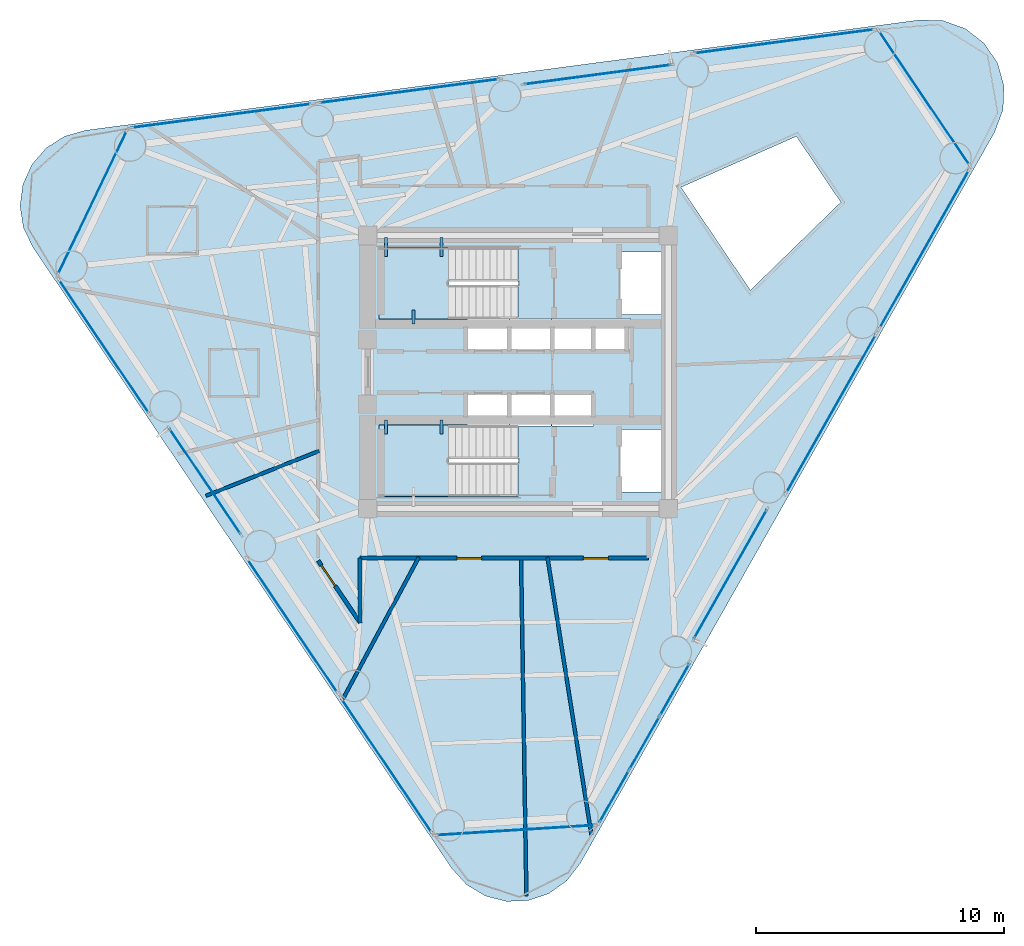
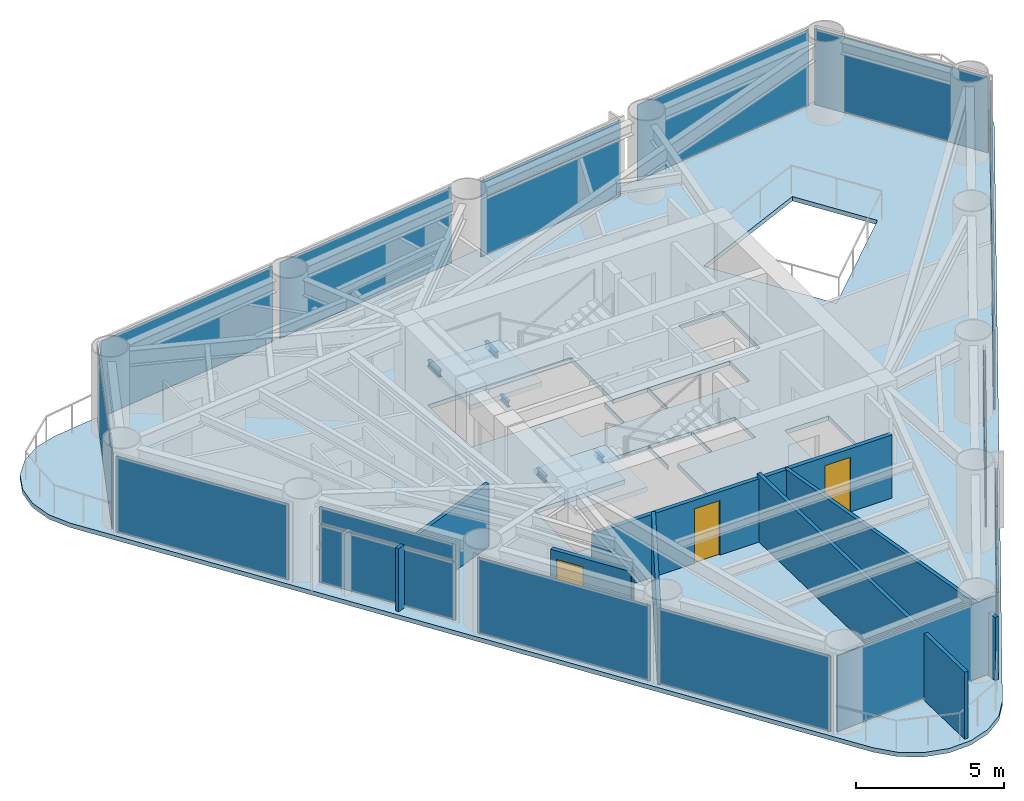
# One storey, part 4 of 9: 23 plates, 7 walls, 5 beams, 3 doors, 3 slabs, 3 openings, 17 elements without a shape of their own.
"""IFC4 building model written with IfcOpenShell, lengths in metres."""

from ifc_helpers import new_model, si_unit, direction, frame, frame_2d, origin, origin_2d, place, context, subcontext, project, spatial, polyline, rectangle, i_section, outline, extrude, source, transform, mapped, material, layer, layer_set, material_profile, profile_set, type_object, element, fill, aggregate, save


model = new_model("IFC4")

# Units and contexts
model_context = context("Model", 3, precision=1e-05, world=origin(), true_north=direction((0.0, 1.0)))
body_context = subcontext(model_context, "Body", "Model", "MODEL_VIEW")
ifc_project = project(units=[si_unit("LENGTHUNIT", "METRE"), si_unit("AREAUNIT", "SQUARE_METRE"), si_unit("VOLUMEUNIT", "CUBIC_METRE"), si_unit("PLANEANGLEUNIT", "RADIAN"), si_unit("MASSUNIT", "GRAM", prefix="KILO")], contexts=[model_context])

# Site, building, storey
site_placement = place(None, origin())
site = spatial("IfcSite", under=ifc_project, at=site_placement, CompositionType="ELEMENT")
building_placement = place(site_placement, origin())
building = spatial("IfcBuilding", under=site, at=building_placement, Name="Yunling Apex Tower", CompositionType="ELEMENT")
storey_placement = place(building_placement, frame((0.0, 0.0, 165.64990234375)))
storey = spatial("IfcBuildingStorey", under=building, at=storey_placement, Name="L40", CompositionType="ELEMENT", Elevation=165.64990234375)

# Beams
ifc_material_1 = material(Name="Steel Q355B", Category="steel")
ifc_material_profile = material_profile(ifc_material_1, i_section(OverallWidth=0.125, OverallDepth=0.25, WebThickness=0.006103515625, FlangeThickness=0.009033203125, FilletRadius=0.011962890625, at=origin_2d()))
ifc_profile_set = profile_set([ifc_material_profile], Name="Steel Q355B")
beam_type = type_object("IfcBeamType", Name="BL-LNT-1", PredefinedType="LINTEL", material=ifc_profile_set)
shared_shape_1 = source(origin(), body_context, "Body", "SweptSolid", [
    extrude(i_section(OverallWidth=0.125, OverallDepth=0.25, WebThickness=0.006103515625, FlangeThickness=0.009033203125, FilletRadius=0.011962890625, at=origin_2d()), origin(), (0.0, 0.0, 1.0), 0.760009765625),
])
for number, where, z_axis, x_axis, name in (
    (1, (-5.320068359375, 5.419921875, 1.405029296875), (0.0, -1.0, 0.0), (1.0, 0.0, 0.0), "L40 ST-1 Landing Bearing Corbel 1-1"),
    (2, (-3.090087890625, 5.419921875, 1.405029296875), (0.0, -1.0, 0.0), (1.0, 0.0, 0.0), "L40 ST-1 Landing Bearing Corbel 1-2"),
):
    element("IfcBeam", number, at=place(storey_placement, frame(where, z_axis=z_axis, x_axis=x_axis)), inside=storey, type_object=beam_type, Name=name, PredefinedType="LINTEL", context=body_context, shape_type="MappedRepresentation", body=[
        mapped(shared_shape_1, transform((0.0, 0.0, 0.0), scale=1.0)),
    ])
shared_shape_2 = source(origin(), body_context, "Body", "SweptSolid", [
    extrude(i_section(OverallWidth=0.125, OverallDepth=0.25, WebThickness=0.006103515625, FlangeThickness=0.009033203125, FilletRadius=0.011962890625, at=origin_2d()), origin(), (0.0, 0.0, 1.0), 0.550048828125),
])
for number, where, z_axis, x_axis, name in (
    (3, (-4.205078125, 1.93994140625, 1.405029296875), (0.0, 1.0, 0.0), (-1.0, 0.0, 0.0), "L40 ST-1 Landing Bearing Corbel 1-3"),
    (4, (-5.320068359375, -1.93994140625, 1.405029296875), (0.0, -1.0, 0.0), (1.0, 0.0, 0.0), "L40 ST-2 Landing Bearing Corbel 1-1"),
    (5, (-3.090087890625, -1.93994140625, 1.405029296875), (0.0, -1.0, 0.0), (1.0, 0.0, 0.0), "L40 ST-2 Landing Bearing Corbel 1-2"),
):
    element("IfcBeam", number, at=place(storey_placement, frame(where, z_axis=z_axis, x_axis=x_axis)), inside=storey, type_object=beam_type, Name=name, PredefinedType="LINTEL", context=body_context, shape_type="MappedRepresentation", body=[
        mapped(shared_shape_2, transform((0.0, 0.0, 0.0), scale=1.0)),
    ])

# Slab
ifc_material_2 = material(Name="Concrete C40", Category="concrete")
ifc_layer_1 = layer(ifc_material_2, 0.1650390625)
ifc_layer_set_1 = layer_set([ifc_layer_1], Name="Concrete C40")
slab_type_1 = type_object("IfcSlabType", Name="SL-FLR-2", PredefinedType="FLOOR", material=ifc_layer_set_1)
slab_1_placement = place(storey_placement, frame((0.0, 0.0, -0.179931640625)))
element("IfcSlab", 6, at=slab_1_placement, inside=storey, type_object=slab_type_1, Name="L40 Composite Tower Floor Slab", PredefinedType="FLOOR", context=body_context, shape_type="SweptSolid", body=[
    extrude(outline(polyline([(-2.665771484375, -20.00146484375), (-2.073486328125, -20.65185546875), (-1.31982421875, -21.10546875), (-0.468017578125, -21.32421875), (0.410888671875, -21.2900390625), (1.243408203125, -21.005615234375), (1.95947265625, -20.494873046875), (2.499267578125, -19.80029296875), (19.197998046875, 9.66650390625), (19.533203125, 10.565185546875), (19.572021484375, 11.5234375), (19.31005859375, 12.4462890625), (18.773681640625, 13.241455078125), (18.01611328125, 13.830078125), (17.113037109375, 14.1533203125), (16.154296875, 14.178955078125), (-17.422119140625, 9.734619140625), (-18.268310546875, 9.494384765625), (-19.01025390625, 9.021728515625), (-19.585693359375, 8.3564453125), (-19.947021484375, 7.554443359375), (-20.06298828125, 6.682373046875), (-19.9248046875, 5.813720703125), (-19.543701171875, 5.02099609375), (-2.665771484375, -20.00146484375)]), holes=[polyline([(11.209228515625, 9.49072265625), (12.998779296875, 6.837890625), (9.356689453125, 3.295654296875), (6.560791015625, 7.44091796875), (11.209228515625, 9.49072265625)]), polyline([(4.090087890625, -2.320068359375), (5.81005859375, -2.320068359375), (5.81005859375, -4.840087890625), (4.090087890625, -4.840087890625), (4.090087890625, -2.320068359375)]), polyline([(5.81005859375, 4.840087890625), (5.81005859375, 2.320068359375), (4.090087890625, 2.320068359375), (4.090087890625, 4.840087890625), (5.81005859375, 4.840087890625)]), polyline([(1.364990234375, 2.1650390625), (4.534912109375, 2.1650390625), (4.534912109375, 0.794921875), (1.364990234375, 0.794921875), (1.364990234375, 2.1650390625)]), polyline([(3.034912109375, -0.794921875), (3.034912109375, -2.1650390625), (1.364990234375, -2.1650390625), (1.364990234375, -0.794921875), (3.034912109375, -0.794921875)]), polyline([(-2.034912109375, -0.794921875), (-0.364990234375, -0.794921875), (-0.364990234375, -2.139892578125), (-0.3349609375, -2.139892578125), (-0.3349609375, -0.794921875), (1.3349609375, -0.794921875), (1.3349609375, -2.1650390625), (-0.010009765625, -2.1650390625), (-0.010009765625, -5.010009765625), (-5.60009765625, -5.010009765625), (-5.60009765625, -2.139892578125), (-2.034912109375, -2.139892578125), (-2.034912109375, -0.794921875)]), polyline([(-5.60009765625, 2.139892578125), (-5.60009765625, 5.010009765625), (-0.010009765625, 5.010009765625), (-0.010009765625, 2.1650390625), (1.3349609375, 2.1650390625), (1.3349609375, 0.794921875), (-0.3349609375, 0.794921875), (-0.3349609375, 2.139892578125), (-0.364990234375, 2.139892578125), (-0.364990234375, 0.794921875), (-2.034912109375, 0.794921875), (-2.034912109375, 2.139892578125), (-5.60009765625, 2.139892578125)])]), origin(), (0.0, 0.0, 1.0), 0.179931640625),
])

# Stair, slab
stair_type = type_object("IfcStairType", Name="ST-TWR-2", PredefinedType="HALF_TURN_STAIR", material=ifc_material_2)
stair_1_placement = place(storey_placement, origin())
stair_1 = element("IfcStair", 7, at=stair_1_placement, inside=storey, type_object=stair_type, Name="L40 North Core Smokeproof Exit Stair ST-1", PredefinedType="HALF_TURN_STAIR")
ifc_layer_2 = layer(ifc_material_2, 0.195068359375)
ifc_layer_set_2 = layer_set([ifc_layer_2], Name="Concrete C40")
slab_type_2 = type_object("IfcSlabType", Name="SL-LND-1", PredefinedType="LANDING", material=ifc_layer_set_2)
slab_2_placement = place(storey_placement, frame((0.0, 0.0, 1.530029296875)))
slab_2 = element("IfcSlab", 8, at=slab_2_placement, type_object=slab_type_2, Name="ST-1 landing 1", PredefinedType="LANDING", context=body_context, shape_type="SweptSolid", body=[
    extrude(outline(polyline([(-2.81005859375, 5.010009765625), (-5.60009765625, 5.010009765625), (-5.60009765625, 2.139892578125), (-2.81005859375, 2.139892578125), (-2.81005859375, 5.010009765625)])), origin(), (0.0, 0.0, 1.0), 0.195068359375),
])
aggregate(stair_1, [slab_2])

stair_2_placement = place(storey_placement, origin())
stair_2 = element("IfcStair", 9, at=stair_2_placement, inside=storey, type_object=stair_type, Name="L40 South Core Smokeproof Exit Stair ST-2", PredefinedType="HALF_TURN_STAIR")
slab_3_placement = place(storey_placement, frame((0.0, 0.0, 1.530029296875)))
slab_3 = element("IfcSlab", 10, at=slab_3_placement, type_object=slab_type_2, Name="ST-2 landing 1", PredefinedType="LANDING", context=body_context, shape_type="SweptSolid", body=[
    extrude(outline(polyline([(-2.81005859375, -2.139892578125), (-5.60009765625, -2.139892578125), (-5.60009765625, -5.010009765625), (-2.81005859375, -5.010009765625), (-2.81005859375, -2.139892578125)])), origin(), (0.0, 0.0, 1.0), 0.195068359375),
])
aggregate(stair_2, [slab_3])

# Curtain wall, plates
ifc_material_3 = material(Name="Bronze anodised aluminium", Category="aluminium")
ifc_layer_3 = layer(ifc_material_3, 0.239990234375)
ifc_layer_set_3 = layer_set([ifc_layer_3], Name="Bronze anodised aluminium")
curtain_wall_type = type_object("IfcCurtainWallType", Name="CW-SYS-3", PredefinedType="NOTDEFINED", material=ifc_layer_set_3)
curtain_wall_1_placement = place(storey_placement, origin())
curtain_wall_1 = element("IfcCurtainWall", 11, at=curtain_wall_1_placement, inside=storey, type_object=curtain_wall_type, Name="CW-L40-F1-B1", PredefinedType="NOTDEFINED")
ifc_material_4 = material(Name="Bronze tinted low-E glass", Category="glass")
ifc_layer_4 = layer(ifc_material_4, 0.031982421875)
ifc_layer_set_4 = layer_set([ifc_layer_4], Name="Bronze tinted low-E glass")
plate_type = type_object("IfcPlateType", Name="CW-PNL-3", PredefinedType="CURTAIN_PANEL", material=ifc_layer_set_4)
shared_shape_3 = source(origin(), body_context, "Body", "SweptSolid", [
    extrude(rectangle(XDim=2.3828125, YDim=0.031982421875, at=origin_2d()), origin(), (0.0, 0.0, 1.0), 2.381103515625),
])
plate_1_placement = place(storey_placement, frame((3.874755859375, -17.089111328125, 0.072265625), z_axis=(0.0, 0.0, 1.0), x_axis=(0.493040979859, 0.870006087438, 0.0)))
plate_1 = element("IfcPlate", 12, at=plate_1_placement, type_object=plate_type, Name="CW-SYS-3 panel 1.1", PredefinedType="CURTAIN_PANEL", context=body_context, shape_type="MappedRepresentation", body=[
    mapped(shared_shape_3, transform((0.0, 0.0, 0.0), scale=1.0)),
])
plate_2_placement = place(storey_placement, frame((6.307373046875, -12.796875, 0.072265625), z_axis=(0.0, 0.0, 1.0), x_axis=(0.493040979859, 0.870006087438, 0.0)))
plate_2 = element("IfcPlate", 13, at=plate_2_placement, type_object=plate_type, Name="CW-SYS-3 panel 3.1", PredefinedType="CURTAIN_PANEL", context=body_context, shape_type="MappedRepresentation", body=[
    mapped(shared_shape_3, transform((0.0, 0.0, 0.0), scale=1.0)),
])
shared_shape_4 = source(origin(), body_context, "Body", "SweptSolid", [
    extrude(rectangle(XDim=2.3828125, YDim=0.031982421875, at=origin_2d()), origin(), (0.0, 0.0, 1.0), 0.680908203125),
])
plate_3_placement = place(storey_placement, frame((3.874755859375, -17.089111328125, 2.51708984375), z_axis=(0.0, 0.0, 1.0), x_axis=(0.493040979859, 0.870006087438, 0.0)))
plate_3 = element("IfcPlate", 14, at=plate_3_placement, type_object=plate_type, Name="CW-SYS-3 panel 1.2", PredefinedType="CURTAIN_PANEL", context=body_context, shape_type="MappedRepresentation", body=[
    mapped(shared_shape_4, transform((0.0, 0.0, 0.0), scale=1.0)),
])
plate_4_placement = place(storey_placement, frame((6.307373046875, -12.796875, 2.51708984375), z_axis=(0.0, 0.0, 1.0), x_axis=(0.493040979859, 0.870006087438, 0.0)))
plate_4 = element("IfcPlate", 15, at=plate_4_placement, type_object=plate_type, Name="CW-SYS-3 panel 3.2", PredefinedType="CURTAIN_PANEL", context=body_context, shape_type="MappedRepresentation", body=[
    mapped(shared_shape_4, transform((0.0, 0.0, 0.0), scale=1.0)),
])
shared_shape_5 = source(origin(), body_context, "Body", "SweptSolid", [
    extrude(rectangle(XDim=2.4228515625, YDim=0.031982421875, at=origin_2d()), origin(), (0.0, 0.0, 1.0), 2.381103515625),
])
plate_5_placement = place(storey_placement, frame((5.091064453125, -14.943115234375, 0.072265625), z_axis=(0.0, 0.0, 1.0), x_axis=(0.493040979859, 0.870006087438, 0.0)))
plate_5 = element("IfcPlate", 16, at=plate_5_placement, type_object=plate_type, Name="CW-SYS-3 panel 2.1", PredefinedType="CURTAIN_PANEL", context=body_context, shape_type="MappedRepresentation", body=[
    mapped(shared_shape_5, transform((0.0, 0.0, 0.0), scale=1.0)),
])
shared_shape_6 = source(origin(), body_context, "Body", "SweptSolid", [
    extrude(rectangle(XDim=2.4228515625, YDim=0.031982421875, at=origin_2d()), origin(), (0.0, 0.0, 1.0), 0.680908203125),
])
plate_6_placement = place(storey_placement, frame((5.091064453125, -14.943115234375, 2.51708984375), z_axis=(0.0, 0.0, 1.0), x_axis=(0.493040979859, 0.870006087438, 0.0)))
plate_6 = element("IfcPlate", 17, at=plate_6_placement, type_object=plate_type, Name="CW-SYS-3 panel 2.2", PredefinedType="CURTAIN_PANEL", context=body_context, shape_type="MappedRepresentation", body=[
    mapped(shared_shape_6, transform((0.0, 0.0, 0.0), scale=1.0)),
])
aggregate(curtain_wall_1, [plate_1, plate_3, plate_5, plate_6, plate_2, plate_4])

# Curtain wall, plate
curtain_wall_2_placement = place(storey_placement, origin())
curtain_wall_2 = element("IfcCurtainWall", 18, at=curtain_wall_2_placement, inside=storey, type_object=curtain_wall_type, Name="CW-L40-F1-B2", PredefinedType="NOTDEFINED")
shared_shape_7 = source(origin(), body_context, "Body", "SweptSolid", [
    extrude(rectangle(XDim=5.9365234375, YDim=0.031982421875, at=origin_2d()), origin(), (0.0, 0.0, 1.0), 2.381103515625),
])
plate_7_placement = place(storey_placement, frame((8.552490234375, -8.145263671875, 0.072265625), z_axis=(0.0, 0.0, 1.0), x_axis=(0.493047012471, 0.87000266867, 0.0)))
plate_7 = element("IfcPlate", 19, at=plate_7_placement, type_object=plate_type, Name="CW-SYS-3 panel 1.1", PredefinedType="CURTAIN_PANEL", context=body_context, shape_type="MappedRepresentation", body=[
    mapped(shared_shape_7, transform((0.0, 0.0, 0.0), scale=1.0)),
])

curtain_wall_3_placement = place(storey_placement, origin())
curtain_wall_3 = element("IfcCurtainWall", 20, at=curtain_wall_3_placement, inside=storey, type_object=curtain_wall_type, Name="CW-L40-F2-B2", PredefinedType="NOTDEFINED")
plate_8_placement = place(storey_placement, frame((3.206298828125, 11.98095703125, 0.072265625), z_axis=(0.0, 0.0, 1.0), x_axis=(-0.99135526932, -0.131204916036, 0.0)))
plate_8 = element("IfcPlate", 21, at=plate_8_placement, type_object=plate_type, Name="CW-SYS-3 panel 1.1", PredefinedType="CURTAIN_PANEL", context=body_context, shape_type="MappedRepresentation", body=[
    mapped(shared_shape_7, transform((0.0, 0.0, 0.0), scale=1.0)),
])

# Plate
shared_shape_8 = source(origin(), body_context, "Body", "SweptSolid", [
    extrude(rectangle(XDim=5.9365234375, YDim=0.031982421875, at=origin_2d()), origin(), (0.0, 0.0, 1.0), 0.680908203125),
])
plate_9_placement = place(storey_placement, frame((8.552490234375, -8.145263671875, 2.51708984375), z_axis=(0.0, 0.0, 1.0), x_axis=(0.493047012471, 0.87000266867, 0.0)))
plate_9 = element("IfcPlate", 22, at=plate_9_placement, type_object=plate_type, Name="CW-SYS-3 panel 1.2", PredefinedType="CURTAIN_PANEL", context=body_context, shape_type="MappedRepresentation", body=[
    mapped(shared_shape_8, transform((0.0, 0.0, 0.0), scale=1.0)),
])

aggregate(curtain_wall_2, [plate_7, plate_9])

plate_10_placement = place(storey_placement, frame((3.206298828125, 11.98095703125, 2.51708984375), z_axis=(0.0, 0.0, 1.0), x_axis=(-0.99135526932, -0.131204916036, 0.0)))
plate_10 = element("IfcPlate", 23, at=plate_10_placement, type_object=plate_type, Name="CW-SYS-3 panel 1.2", PredefinedType="CURTAIN_PANEL", context=body_context, shape_type="MappedRepresentation", body=[
    mapped(shared_shape_8, transform((0.0, 0.0, 0.0), scale=1.0)),
])

aggregate(curtain_wall_3, [plate_8, plate_10])

# Curtain wall, plate
curtain_wall_4_placement = place(storey_placement, origin())
curtain_wall_4 = element("IfcCurtainWall", 24, at=curtain_wall_4_placement, inside=storey, type_object=curtain_wall_type, Name="CW-L40-F1-B3", PredefinedType="NOTDEFINED")
shared_shape_9 = source(origin(), body_context, "Body", "SweptSolid", [
    extrude(rectangle(XDim=7.316650390625, YDim=0.031982421875, at=origin_2d()), origin(), (0.0, 0.0, 1.0), 3.1259765625),
])
plate_11_placement = place(storey_placement, frame((12.60546875, -1.682861328125, 0.072021484375), z_axis=(0.0, 0.0, 1.0), x_axis=(0.493035230416, 0.870009345679, 0.0)))
plate_11 = element("IfcPlate", 25, at=plate_11_placement, type_object=plate_type, Name="CW-SYS-3 panel 1.1", PredefinedType="CURTAIN_PANEL", context=body_context, shape_type="MappedRepresentation", body=[
    mapped(shared_shape_9, transform((0.0, 0.0, 0.0), scale=1.0)),
])
aggregate(curtain_wall_4, [plate_11])

curtain_wall_5_placement = place(storey_placement, origin())
curtain_wall_5 = element("IfcCurtainWall", 26, at=curtain_wall_5_placement, inside=storey, type_object=curtain_wall_type, Name="CW-L40-F1-B4", PredefinedType="NOTDEFINED")
plate_12_placement = place(storey_placement, frame((16.362548828125, 4.947021484375, 0.072021484375), z_axis=(0.0, 0.0, 1.0), x_axis=(0.493040979859, 0.870006087438, 0.0)))
plate_12 = element("IfcPlate", 27, at=plate_12_placement, type_object=plate_type, Name="CW-SYS-3 panel 1.1", PredefinedType="CURTAIN_PANEL", context=body_context, shape_type="MappedRepresentation", body=[
    mapped(shared_shape_9, transform((0.0, 0.0, 0.0), scale=1.0)),
])
aggregate(curtain_wall_5, [plate_12])

curtain_wall_6_placement = place(storey_placement, origin())
curtain_wall_6 = element("IfcCurtainWall", 28, at=curtain_wall_6_placement, inside=storey, type_object=curtain_wall_type, Name="CW-L40-F2-B1", PredefinedType="NOTDEFINED")
plate_13_placement = place(storey_placement, frame((10.716552734375, 13.31787109375, 0.072021484375), z_axis=(0.0, 0.0, 1.0), x_axis=(-0.991352945496, -0.131222473138, 0.0)))
plate_13 = element("IfcPlate", 29, at=plate_13_placement, type_object=plate_type, Name="CW-SYS-3 panel 1.1", PredefinedType="CURTAIN_PANEL", context=body_context, shape_type="MappedRepresentation", body=[
    mapped(shared_shape_9, transform((0.0, 0.0, 0.0), scale=1.0)),
])
aggregate(curtain_wall_6, [plate_13])

curtain_wall_7_placement = place(storey_placement, origin())
curtain_wall_7 = element("IfcCurtainWall", 30, at=curtain_wall_7_placement, inside=storey, type_object=curtain_wall_type, Name="CW-L40-F2-B3", PredefinedType="NOTDEFINED")
plate_14_placement = place(storey_placement, frame((-4.39306640625, 11.318115234375, 0.072021484375), z_axis=(0.0, 0.0, 1.0), x_axis=(-0.991354689071, -0.13120930019, 0.0)))
plate_14 = element("IfcPlate", 31, at=plate_14_placement, type_object=plate_type, Name="CW-SYS-3 panel 1.1", PredefinedType="CURTAIN_PANEL", context=body_context, shape_type="MappedRepresentation", body=[
    mapped(shared_shape_9, transform((0.0, 0.0, 0.0), scale=1.0)),
])
aggregate(curtain_wall_7, [plate_14])

curtain_wall_8_placement = place(storey_placement, origin())
curtain_wall_8 = element("IfcCurtainWall", 32, at=curtain_wall_8_placement, inside=storey, type_object=curtain_wall_type, Name="CW-L40-F2-B4", PredefinedType="NOTDEFINED")
plate_15_placement = place(storey_placement, frame((-11.94775390625, 10.318115234375, 0.072021484375), z_axis=(0.0, 0.0, 1.0), x_axis=(-0.991352945496, -0.131222473138, 0.0)))
plate_15 = element("IfcPlate", 33, at=plate_15_placement, type_object=plate_type, Name="CW-SYS-3 panel 1.1", PredefinedType="CURTAIN_PANEL", context=body_context, shape_type="MappedRepresentation", body=[
    mapped(shared_shape_9, transform((0.0, 0.0, 0.0), scale=1.0)),
])
aggregate(curtain_wall_8, [plate_15])

curtain_wall_9_placement = place(storey_placement, origin())
curtain_wall_9 = element("IfcCurtainWall", 34, at=curtain_wall_9_placement, inside=storey, type_object=curtain_wall_type, Name="CW-L40-CRN1", PredefinedType="NOTDEFINED")
shared_shape_10 = source(origin(), body_context, "Body", "SweptSolid", [
    extrude(rectangle(XDim=6.521728515625, YDim=0.031982421875, at=origin_2d()), origin(), (0.0, 0.0, 1.0), 3.1259765625),
])
plate_16_placement = place(storey_placement, frame((16.360107421875, 11.03515625, 0.072021484375), z_axis=(0.0, 0.0, 1.0), x_axis=(-0.559192747259, 0.829037677921, 0.0)))
plate_16 = element("IfcPlate", 35, at=plate_16_placement, type_object=plate_type, Name="CW-SYS-3 panel 1.1", PredefinedType="CURTAIN_PANEL", context=body_context, shape_type="MappedRepresentation", body=[
    mapped(shared_shape_10, transform((0.0, 0.0, 0.0), scale=1.0)),
])
aggregate(curtain_wall_9, [plate_16])

curtain_wall_10_placement = place(storey_placement, origin())
curtain_wall_10 = element("IfcCurtainWall", 36, at=curtain_wall_10_placement, inside=storey, type_object=curtain_wall_type, Name="CW-L40-CRN2", PredefinedType="NOTDEFINED")
shared_shape_11 = source(origin(), body_context, "Body", "SweptSolid", [
    extrude(rectangle(XDim=6.441162109375, YDim=0.031982421875, at=origin_2d()), origin(), (0.0, 0.0, 1.0), 3.1259765625),
])
plate_17_placement = place(storey_placement, frame((-17.144775390625, 6.828857421875, 0.072021484375), z_axis=(0.0, 0.0, 1.0), x_axis=(-0.431993843071, -0.901876554496, 0.0)))
plate_17 = element("IfcPlate", 37, at=plate_17_placement, type_object=plate_type, Name="CW-SYS-3 panel 1.1", PredefinedType="CURTAIN_PANEL", context=body_context, shape_type="MappedRepresentation", body=[
    mapped(shared_shape_11, transform((0.0, 0.0, 0.0), scale=1.0)),
])
aggregate(curtain_wall_10, [plate_17])

curtain_wall_11_placement = place(storey_placement, origin())
curtain_wall_11 = element("IfcCurtainWall", 38, at=curtain_wall_11_placement, inside=storey, type_object=curtain_wall_type, Name="CW-L40-CRN3", PredefinedType="NOTDEFINED")
plate_18_placement = place(storey_placement, frame((-0.091064453125, -18.454345703125, 0.072021484375), z_axis=(0.0, 0.0, 1.0), x_axis=(0.998034158431, 0.062672311308, 0.0)))
plate_18 = element("IfcPlate", 39, at=plate_18_placement, type_object=plate_type, Name="CW-SYS-3 panel 1.1", PredefinedType="CURTAIN_PANEL", context=body_context, shape_type="MappedRepresentation", body=[
    mapped(shared_shape_11, transform((0.0, 0.0, 0.0), scale=1.0)),
])
aggregate(curtain_wall_11, [plate_18])

curtain_wall_12_placement = place(storey_placement, origin())
curtain_wall_12 = element("IfcCurtainWall", 40, at=curtain_wall_12_placement, inside=storey, type_object=curtain_wall_type, Name="CW-L40-F3-B1", PredefinedType="NOTDEFINED")
shared_shape_12 = source(origin(), body_context, "Body", "SweptSolid", [
    extrude(rectangle(XDim=6.487060546875, YDim=0.031982421875, at=origin_2d()), origin(), (0.0, 0.0, 1.0), 3.1259765625),
])
plate_19_placement = place(storey_placement, frame((-16.684814453125, 1.033203125, 0.072021484375), z_axis=(0.0, 0.0, 1.0), x_axis=(0.559181442901, -0.829045302692, 0.0)))
plate_19 = element("IfcPlate", 41, at=plate_19_placement, type_object=plate_type, Name="CW-SYS-3 panel 1.1", PredefinedType="CURTAIN_PANEL", context=body_context, shape_type="MappedRepresentation", body=[
    mapped(shared_shape_12, transform((0.0, 0.0, 0.0), scale=1.0)),
])
aggregate(curtain_wall_12, [plate_19])

curtain_wall_13_placement = place(storey_placement, origin())
curtain_wall_13 = element("IfcCurtainWall", 42, at=curtain_wall_13_placement, inside=storey, type_object=curtain_wall_type, Name="CW-L40-F3-B3", PredefinedType="NOTDEFINED")
plate_20_placement = place(storey_placement, frame((-9.08984375, -10.226806640625, 0.072021484375), z_axis=(0.0, 0.0, 1.0), x_axis=(0.559188434042, -0.829040587205, 0.0)))
plate_20 = element("IfcPlate", 43, at=plate_20_placement, type_object=plate_type, Name="CW-SYS-3 panel 1.1", PredefinedType="CURTAIN_PANEL", context=body_context, shape_type="MappedRepresentation", body=[
    mapped(shared_shape_12, transform((0.0, 0.0, 0.0), scale=1.0)),
])
aggregate(curtain_wall_13, [plate_20])

curtain_wall_14_placement = place(storey_placement, origin())
curtain_wall_14 = element("IfcCurtainWall", 44, at=curtain_wall_14_placement, inside=storey, type_object=curtain_wall_type, Name="CW-L40-F3-B4", PredefinedType="NOTDEFINED")
plate_21_placement = place(storey_placement, frame((-5.29248046875, -15.85693359375, 0.072021484375), z_axis=(0.0, 0.0, 1.0), x_axis=(0.559181442901, -0.829045302692, 0.0)))
plate_21 = element("IfcPlate", 45, at=plate_21_placement, type_object=plate_type, Name="CW-SYS-3 panel 1.1", PredefinedType="CURTAIN_PANEL", context=body_context, shape_type="MappedRepresentation", body=[
    mapped(shared_shape_12, transform((0.0, 0.0, 0.0), scale=1.0)),
])
aggregate(curtain_wall_14, [plate_21])

# Curtain wall, plates
curtain_wall_15_placement = place(storey_placement, origin())
curtain_wall_15 = element("IfcCurtainWall", 46, at=curtain_wall_15_placement, inside=storey, type_object=curtain_wall_type, Name="CW-L40-F3-B2", PredefinedType="NOTDEFINED")
shared_shape_13 = source(origin(), body_context, "Body", "SweptSolid", [
    extrude(rectangle(XDim=5.10693359375, YDim=0.031982421875, at=origin_2d()), origin(), (0.0, 0.0, 1.0), 2.381103515625),
])
plate_22_placement = place(storey_placement, frame((-12.60546875, -4.40673828125, 0.072265625), z_axis=(0.0, 0.0, 1.0), x_axis=(0.559209856873, -0.829026137089, 0.0)))
plate_22 = element("IfcPlate", 47, at=plate_22_placement, type_object=plate_type, Name="CW-SYS-3 panel 1.1", PredefinedType="CURTAIN_PANEL", context=body_context, shape_type="MappedRepresentation", body=[
    mapped(shared_shape_13, transform((0.0, 0.0, 0.0), scale=1.0)),
])
shared_shape_14 = source(origin(), body_context, "Body", "SweptSolid", [
    extrude(rectangle(XDim=5.10693359375, YDim=0.031982421875, at=origin_2d()), origin(), (0.0, 0.0, 1.0), 0.680908203125),
])
plate_23_placement = place(storey_placement, frame((-12.60546875, -4.40673828125, 2.51708984375), z_axis=(0.0, 0.0, 1.0), x_axis=(0.559209856873, -0.829026137089, 0.0)))
plate_23 = element("IfcPlate", 48, at=plate_23_placement, type_object=plate_type, Name="CW-SYS-3 panel 1.2", PredefinedType="CURTAIN_PANEL", context=body_context, shape_type="MappedRepresentation", body=[
    mapped(shared_shape_14, transform((0.0, 0.0, 0.0), scale=1.0)),
])
aggregate(curtain_wall_15, [plate_22, plate_23])

# Wall, opening, door
ifc_material_5 = material(Name="Gypsum board acoustic partition")
ifc_layer_5 = layer(ifc_material_5, 0.159912109375)
ifc_layer_set_5 = layer_set([ifc_layer_5], Name="Gypsum board acoustic partition")
wall_type_1 = type_object("IfcWallType", Name="WL-PRT-1", PredefinedType="PARTITIONING", material=ifc_layer_set_5)
wall_1_placement = place(storey_placement, frame((-6.360107421875, -10.107421875, 0.0), z_axis=(0.0, 0.0, 1.0), x_axis=(-0.559166202639, 0.829055581868, 0.0)))
wall_1 = element("IfcWall", 49, at=wall_1_placement, inside=storey, type_object=wall_type_1, Name="WL-CORR-L40-01", PredefinedType="PARTITIONING", context=body_context, shape_type="SweptSolid", body=[
    extrude(rectangle(XDim=3.022216796875, YDim=0.159912109375, at=frame_2d((1.51123046875, 0.0))), origin(), (0.0, 0.0, 1.0), 2.60498046875),
])
opening_1_placement = place(wall_1_placement, frame((1.80224609375, 0.0, 0.0)))
opening_1 = element("IfcOpeningElement", 50, at=opening_1_placement, cuts=wall_1, Name="Opening DR-OFF-1", PredefinedType="OPENING", context=body_context, shape_type="SweptSolid", body=[
    extrude(rectangle(XDim=1.0, YDim=2.25, at=frame_2d((0.5, 1.125))), frame((0.0, 0.08984375, 0.0), z_axis=(0.0, -1.0, 0.0), x_axis=(1.0, 0.0, 0.0)), (0.0, 0.0, 1.0), 0.179931640625),
])
door_type = type_object("IfcDoorType", Name="DR-OFF-1", OperationType="NOTDEFINED", PredefinedType="DOOR", material=ifc_material_3)
door_1_placement = place(opening_1_placement, origin())
door_1 = element("IfcDoor", 51, at=door_1_placement, inside=storey, type_object=door_type, Name="L40 Guest Wellness Club Door", OperationType="SINGLE_SWING_RIGHT", OverallHeight=2.25, OverallWidth=1.0, PredefinedType="DOOR", context=body_context, shape_type="SweptSolid", body=[
    extrude(rectangle(XDim=1.0, YDim=2.25, at=frame_2d((0.5, 1.125))), frame((0.0, 0.02490234375, 0.0), z_axis=(0.0, -1.0, 0.0), x_axis=(1.0, 0.0, 0.0)), (0.0, 0.0, 1.0), 0.050048828125),
])
fill(opening_1, door_1)

# Wall, openings, doors
wall_2_placement = place(storey_placement, frame((5.25, -7.5, 0.0), z_axis=(0.0, 0.0, 1.0), x_axis=(-1.0, 0.0, 0.0)))
wall_2 = element("IfcWall", 52, at=wall_2_placement, inside=storey, type_object=wall_type_1, Name="WL-CORR-L40-09", PredefinedType="PARTITIONING", context=body_context, shape_type="SweptSolid", body=[
    extrude(rectangle(XDim=11.610107421875, YDim=0.159912109375, at=frame_2d((5.80517578125, 0.0))), origin(), (0.0, 0.0, 1.0), 2.60498046875),
])
opening_2_placement = place(wall_2_placement, frame((1.6181640625, 0.0, 0.0)))
opening_2 = element("IfcOpeningElement", 53, at=opening_2_placement, cuts=wall_2, Name="Opening DR-OFF-1", PredefinedType="OPENING", context=body_context, shape_type="SweptSolid", body=[
    extrude(rectangle(XDim=1.0, YDim=2.25, at=frame_2d((0.5, 1.125))), frame((0.0, 0.08984375, 0.0), z_axis=(0.0, -1.0, 0.0), x_axis=(1.0, 0.0, 0.0)), (0.0, 0.0, 1.0), 0.179931640625),
])
opening_3_placement = place(wall_2_placement, frame((6.718505859375, 0.0, 0.0)))
opening_3 = element("IfcOpeningElement", 54, at=opening_3_placement, cuts=wall_2, Name="Opening DR-OFF-1", PredefinedType="OPENING", context=body_context, shape_type="SweptSolid", body=[
    extrude(rectangle(XDim=1.0, YDim=2.25, at=frame_2d((0.5, 1.125))), frame((0.0, 0.08984375, 0.0), z_axis=(0.0, -1.0, 0.0), x_axis=(1.0, 0.0, 0.0)), (0.0, 0.0, 1.0), 0.179931640625),
])
door_2_placement = place(opening_2_placement, origin())
door_2 = element("IfcDoor", 55, at=door_2_placement, inside=storey, type_object=door_type, Name="L40 Club Lounge Door", OperationType="SINGLE_SWING_LEFT", OverallHeight=2.25, OverallWidth=1.0, PredefinedType="DOOR", context=body_context, shape_type="SweptSolid", body=[
    extrude(rectangle(XDim=1.0, YDim=2.25, at=frame_2d((0.5, 1.125))), frame((0.0, 0.02490234375, 0.0), z_axis=(0.0, -1.0, 0.0), x_axis=(1.0, 0.0, 0.0)), (0.0, 0.0, 1.0), 0.050048828125),
])
fill(opening_2, door_2)
door_3_placement = place(opening_3_placement, origin())
door_3 = element("IfcDoor", 56, at=door_3_placement, inside=storey, type_object=door_type, Name="L40 Luggage Archive Store Door", OperationType="SINGLE_SWING_RIGHT", OverallHeight=2.25, OverallWidth=1.0, PredefinedType="DOOR", context=body_context, shape_type="SweptSolid", body=[
    extrude(rectangle(XDim=1.0, YDim=2.25, at=frame_2d((0.5, 1.125))), frame((0.0, 0.02490234375, 0.0), z_axis=(0.0, -1.0, 0.0), x_axis=(1.0, 0.0, 0.0)), (0.0, 0.0, 1.0), 0.050048828125),
])
fill(opening_3, door_3)

# Walls
wall_3_placement = place(storey_placement, frame((-6.360107421875, -7.5, 0.0), z_axis=(0.0, 0.0, 1.0), x_axis=(0.0, -1.0, 0.0)))
element("IfcWall", 57, at=wall_3_placement, inside=storey, type_object=wall_type_1, Name="WL-CORR-L40-10", PredefinedType="PARTITIONING", context=body_context, shape_type="SweptSolid", body=[
    extrude(rectangle(XDim=2.607421875, YDim=0.159912109375, at=frame_2d((1.3037109375, 0.0))), origin(), (0.0, 0.0, 1.0), 2.60498046875),
])
ifc_layer_6 = layer(ifc_material_5, 0.139892578125)
ifc_layer_set_6 = layer_set([ifc_layer_6], Name="Gypsum board acoustic partition")
wall_type_2 = type_object("IfcWallType", Name="WL-PRT-2", PredefinedType="PARTITIONING", material=ifc_layer_set_6)
wall_4_placement = place(storey_placement, frame((-8.010009765625, -3.17724609375, 0.0), z_axis=(0.0, 0.0, 1.0), x_axis=(-0.929545887112, -0.368706446586, 0.0)))
element("IfcWall", 58, at=wall_4_placement, inside=storey, type_object=wall_type_2, Name="WL-RAD-L40-09", PredefinedType="PARTITIONING", context=body_context, shape_type="SweptSolid", body=[
    extrude(rectangle(XDim=4.9111328125, YDim=0.139892578125, at=frame_2d((2.45556640625, 0.0))), origin(), (0.0, 0.0, 1.0), 2.60498046875),
])
wall_5_placement = place(storey_placement, frame((-3.9970703125, -7.4599609375, 0.0), z_axis=(0.0, 0.0, 1.0), x_axis=(-0.472255924341, -0.881461480681, 0.0)))
element("IfcWall", 59, at=wall_5_placement, inside=storey, type_object=wall_type_2, Name="WL-RAD-L40-10", PredefinedType="PARTITIONING", context=body_context, shape_type="SweptSolid", body=[
    extrude(rectangle(XDim=6.47802734375, YDim=0.139892578125, at=frame_2d((3.239013671875, 0.0))), origin(), (0.0, 0.0, 1.0), 2.60498046875),
])
wall_6_placement = place(storey_placement, frame((0.118408203125, -7.4599609375, 0.0), z_axis=(0.0, 0.0, 1.0), x_axis=(0.015859383496, -0.999874232069, 0.0)))
element("IfcWall", 60, at=wall_6_placement, inside=storey, type_object=wall_type_2, Name="WL-RAD-L40-11", PredefinedType="PARTITIONING", context=body_context, shape_type="SweptSolid", body=[
    extrude(rectangle(XDim=13.654541015625, YDim=0.139892578125, at=frame_2d((6.8271484375, 0.0))), origin(), (0.0, 0.0, 1.0), 2.76513671875),
])
wall_7_placement = place(storey_placement, frame((1.181396484375, -7.4599609375, 0.0), z_axis=(0.0, 0.0, 1.0), x_axis=(0.156458885844, -0.98768447241, 0.0)))
element("IfcWall", 61, at=wall_7_placement, inside=storey, type_object=wall_type_2, Name="WL-RAD-L40-12", PredefinedType="PARTITIONING", context=body_context, shape_type="SweptSolid", body=[
    extrude(rectangle(XDim=11.316162109375, YDim=0.139892578125, at=frame_2d((5.658203125, 0.0))), origin(), (0.0, 0.0, 1.0), 2.60498046875),
])

save(model, "model.ifc")
